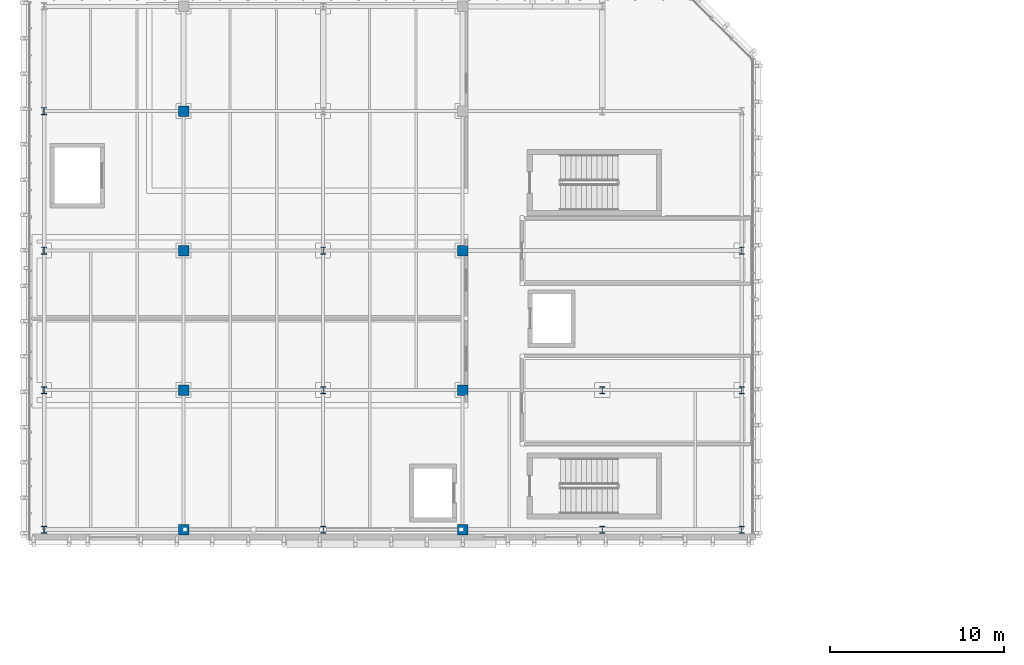
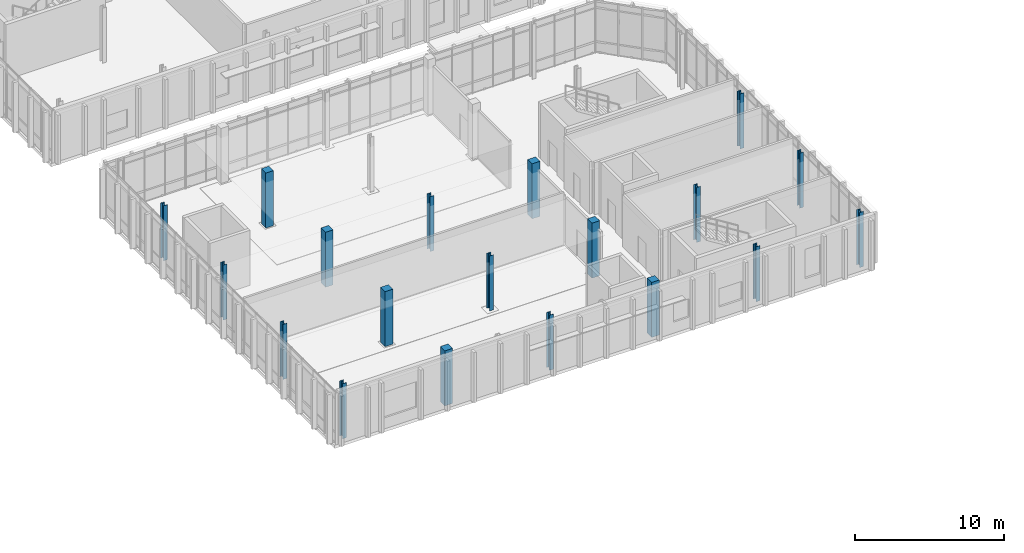
# One storey, part 1 of 62: 19 columns.
"""IFC4 building model written with IfcOpenShell, lengths in metres."""

from ifc_helpers import new_model, si_unit, direction, frame, origin, origin_2d, place, context, subcontext, project, spatial, rectangle, i_section, extrude, material, material_profile, profile_set, type_object, element, save


model = new_model("IFC4")

# Units and contexts
model_context = context("Model", 3, precision=1e-05, world=origin(), true_north=direction((0.0, 1.0)))
body_context = subcontext(model_context, "Body", "Model", "MODEL_VIEW")
ifc_project = project(units=[si_unit("LENGTHUNIT", "METRE"), si_unit("AREAUNIT", "SQUARE_METRE"), si_unit("VOLUMEUNIT", "CUBIC_METRE"), si_unit("PLANEANGLEUNIT", "RADIAN"), si_unit("MASSUNIT", "GRAM", prefix="KILO")], contexts=[model_context])

# Site, building, storey
site_placement = place(None, origin())
site = spatial("IfcSite", under=ifc_project, at=site_placement, CompositionType="ELEMENT")
building_placement = place(site_placement, origin())
building = spatial("IfcBuilding", under=site, at=building_placement, Name="Cymarion Research Institute", CompositionType="ELEMENT")
storey_placement = place(building_placement, frame((0.0, 0.0, 18.300048828125)))
storey = spatial("IfcBuildingStorey", under=building, at=storey_placement, Name="L04", CompositionType="ELEMENT", Elevation=18.300048828125)

# Columns
ifc_material_1 = material(Name="Steel S355", Category="steel")
ifc_material_profile_1 = material_profile(ifc_material_1, i_section(OverallWidth=0.300048828125, OverallDepth=0.39990234375, WebThickness=0.013427734375, FlangeThickness=0.02392578125, FilletRadius=0.027099609375, at=origin_2d()), Name="HEB 400")
ifc_profile_set_1 = profile_set([ifc_material_profile_1], Name="Steel S355")
column_type_1 = type_object("IfcColumnType", Name="STRUCTURAL COLUMN C06 HEB 400", PredefinedType="COLUMN", material=ifc_profile_set_1)
for number, where, z_axis, x_axis, name in (
    (1, (6.60009765625, 47.5, 0.0), (0.0, 0.0, 1.0), (1.0, 0.0, 0.0), "L04 V4 column C06 #1021"),
    (2, (6.60009765625, 55.5, 0.0), (0.0, 0.0, 1.0), (1.0, 0.0, 0.0), "L04 V4 column C06 #1022"),
    (3, (6.60009765625, 63.5, 0.0), (0.0, 0.0, 1.0), (1.0, 0.0, 0.0), "L04 V4 column C06 #1023"),
    (4, (6.60009765625, 71.5, 0.0), (0.0, 0.0, 1.0), (1.0, 0.0, 0.0), "L04 V4 column C06 #1024"),
    (5, (22.60009765625, 47.5, 0.0), (0.0, 0.0, 1.0), (1.0, 0.0, 0.0), "L04 V4 column C06 #1040"),
    (6, (22.60009765625, 55.5, 0.0), (0.0, 0.0, 1.0), (1.0, 0.0, 0.0), "L04 V4 column C06 #1041"),
    (7, (22.60009765625, 63.5, 0.0), (0.0, 0.0, 1.0), (1.0, 0.0, 0.0), "L04 V4 column C06 #1042"),
    (8, (38.60009765625, 47.5, 0.0), (0.0, 0.0, 1.0), (1.0, 0.0, 0.0), "L04 V4 column C06 #1060"),
    (9, (38.60009765625, 55.5, 0.0), (0.0, 0.0, 1.0), (1.0, 0.0, 0.0), "L04 V4 column C06 #1061"),
    (10, (46.60009765625, 47.5, 0.0), (0.0, 0.0, 1.0), (1.0, 0.0, 0.0), "L04 V4 column C06 #1069"),
    (11, (46.60009765625, 55.5, 0.0), (0.0, 0.0, 1.0), (1.0, 0.0, 0.0), "L04 V4 column C06 #1070"),
    (12, (46.60009765625, 63.5, 0.0), (0.0, 0.0, 1.0), (1.0, 0.0, 0.0), "L04 V4 column C06 #1071"),
):
    element("IfcColumn", number, at=place(storey_placement, frame(where, z_axis=z_axis, x_axis=x_axis)), inside=storey, type_object=column_type_1, Name=name, PredefinedType="COLUMN", context=body_context, shape_type="SweptSolid", body=[
        extrude(i_section(OverallWidth=0.300048828125, OverallDepth=0.39990234375, WebThickness=0.013427734375, FlangeThickness=0.02392578125, FilletRadius=0.027099609375, at=origin_2d()), origin(), (0.0, 0.0, 1.0), 4.5),
    ])
ifc_material_2 = material(Name="Concrete C40/50", Category="concrete")
ifc_material_profile_2 = material_profile(ifc_material_2, rectangle(XDim=0.60009765625, YDim=0.60009765625, at=origin_2d()), Name="RC 600x600")
ifc_profile_set_2 = profile_set([ifc_material_profile_2], Name="Concrete C40/50")
column_type_2 = type_object("IfcColumnType", Name="STRUCTURAL COLUMN C18 RC 600x600", PredefinedType="COLUMN", material=ifc_profile_set_2)
for number, where, z_axis, x_axis, name in (
    (13, (14.60009765625, 47.5, 0.0), (0.0, 0.0, 1.0), (1.0, 0.0, 0.0), "L04 V4 column C18 #1031"),
    (14, (14.60009765625, 55.5, 0.0), (0.0, 0.0, 1.0), (1.0, 0.0, 0.0), "L04 V4 column C18 #1032"),
    (15, (14.60009765625, 63.5, 0.0), (0.0, 0.0, 1.0), (1.0, 0.0, 0.0), "L04 V4 column C18 #1033"),
    (16, (14.60009765625, 71.5, 0.0), (0.0, 0.0, 1.0), (1.0, 0.0, 0.0), "L04 V4 column C18 #1034"),
    (17, (30.60009765625, 47.5, 0.0), (0.0, 0.0, 1.0), (1.0, 0.0, 0.0), "L04 V4 column C18 #1050"),
    (18, (30.60009765625, 55.5, 0.0), (0.0, 0.0, 1.0), (1.0, 0.0, 0.0), "L04 V4 column C18 #1051"),
    (19, (30.60009765625, 63.5, 0.0), (0.0, 0.0, 1.0), (1.0, 0.0, 0.0), "L04 V4 column C18 #1052"),
):
    element("IfcColumn", number, at=place(storey_placement, frame(where, z_axis=z_axis, x_axis=x_axis)), inside=storey, type_object=column_type_2, Name=name, PredefinedType="COLUMN", context=body_context, shape_type="SweptSolid", body=[
        extrude(rectangle(XDim=0.60009765625, YDim=0.60009765625, at=origin_2d()), origin(), (0.0, 0.0, 1.0), 4.5),
    ])

save(model, "model.ifc")
